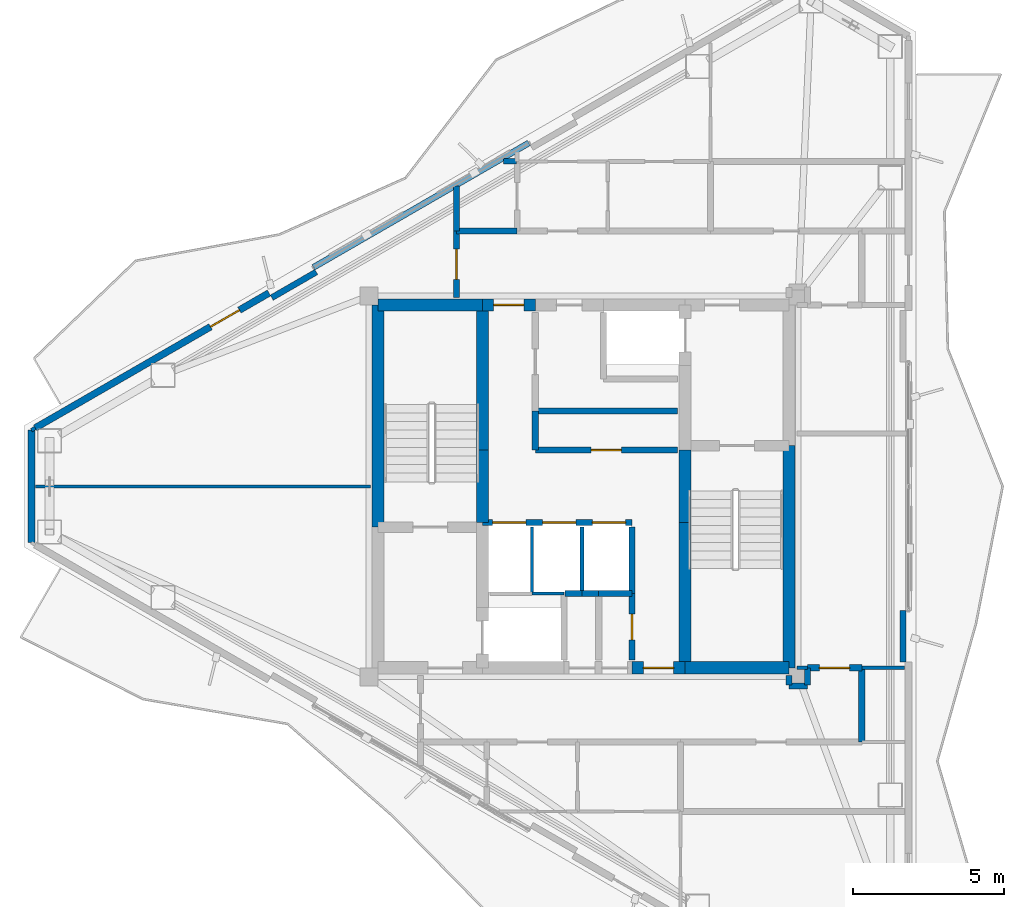
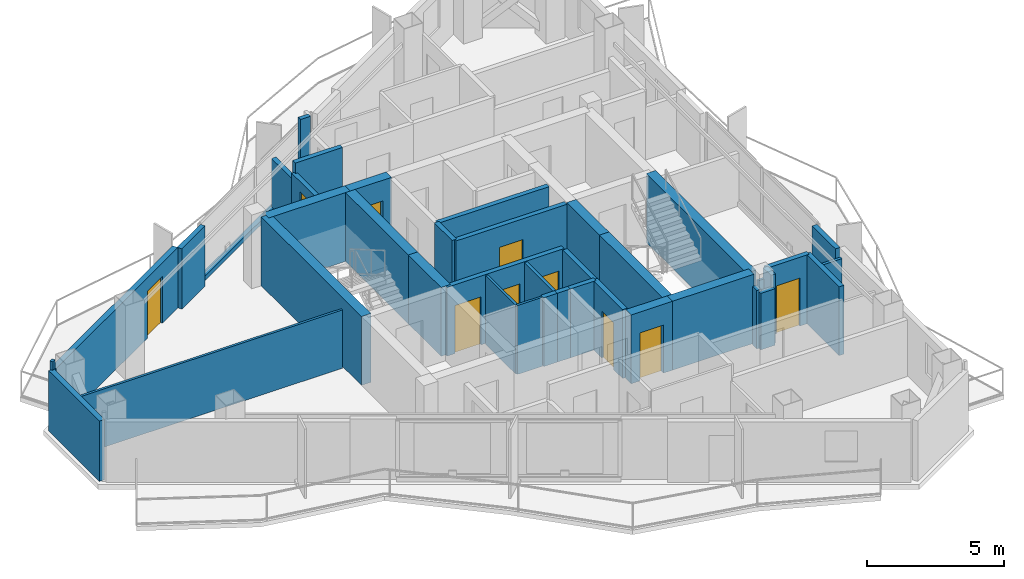
# One storey, part 15 of 18: 40 walls, 10 doors, 10 openings.
"""IFC4 building model written with IfcOpenShell, lengths in metres."""

import ifcopenshell
import ifcopenshell.guid

model = None  # the IFC model being written
_history = None  # IfcOwnerHistory: only IFC2X3 demands one
_inside = {}  # id of a spatial element -> (the spatial element, [elements in it])
_under = {}  # id of a project, library or spatial element -> (it, [spatial elements below it])
_declared = {}  # id of a project -> (the project, [libraries it declares])
_typed = {}  # id of a type object -> (the type object, [elements of that type])
_made_of = {}  # id of a material, layer set ... -> (it, [elements and type objects made of it])


def new_model(schema):
    """Start an empty IFC model of exactly this schema.

    Asked for "IFC4X3", IfcOpenShell would pick the latest addendum, in which some entities
    have other attributes; the version numbers below select the first issue.
    IFC2X3 requires an IfcOwnerHistory on every rooted entity: one is made here for all.
    """
    global model, _history
    if schema == "IFC4X3":
        model = ifcopenshell.file(schema_version=(4, 3, 0, 0))
    else:
        model = ifcopenshell.file(schema=schema)
    _inside.clear()
    _under.clear()
    _declared.clear()
    _typed.clear()
    _made_of.clear()
    _history = None
    if model.schema == "IFC2X3":
        org = make("IfcOrganization", Name="unknown")
        user = make(
            "IfcPersonAndOrganization",
            ThePerson=make("IfcPerson", FamilyName="unknown"),
            TheOrganization=org,
        )
        app = make(
            "IfcApplication",
            ApplicationDeveloper=org,
            Version="unknown",
            ApplicationFullName="unknown",
            ApplicationIdentifier="unknown",
        )
        _history = make(
            "IfcOwnerHistory",
            OwningUser=user,
            OwningApplication=app,
            ChangeAction="ADDED",
            CreationDate=0,
        )
    return model


def make(cls, **values):
    """One entity of the class cls with the attributes given. An attribute that is None is left unset."""
    return model.create_entity(
        cls, **{name: value for name, value in values.items() if value is not None}
    )


def rooted(cls, **values):
    """An entity with a GlobalId (a new one), such as an element, a storey or a relation."""
    return make(cls, GlobalId=ifcopenshell.guid.new(), OwnerHistory=_history, **values)


def si_unit(unit_type, name, prefix=None):
    """IfcSIUnit, for example si_unit("LENGTHUNIT", "METRE", prefix="MILLI")."""
    return make("IfcSIUnit", UnitType=unit_type, Prefix=prefix, Name=name)


def assignment(units):
    """IfcUnitAssignment: the units of a project."""
    return None if units is None else make("IfcUnitAssignment", Units=units)


def point(xyz):
    """IfcCartesianPoint."""
    return None if xyz is None else make("IfcCartesianPoint", Coordinates=xyz)


def direction(xyz):
    """IfcDirection."""
    return None if xyz is None else make("IfcDirection", DirectionRatios=xyz)


def frame(location, z_axis=None, x_axis=None):
    """IfcAxis2Placement3D, a coordinate frame: its origin and axes. An axis left out is left unset."""
    return make(
        "IfcAxis2Placement3D",
        Location=point(location),
        Axis=direction(z_axis),
        RefDirection=direction(x_axis),
    )


def frame_2d(location, x_axis=None):
    """IfcAxis2Placement2D, a coordinate frame in the plane: its origin and x axis."""
    return make(
        "IfcAxis2Placement2D", Location=point(location), RefDirection=direction(x_axis)
    )


def origin():
    """The frame at (0, 0, 0) with its axes left unset."""
    return frame((0.0, 0.0, 0.0))


def place(relative_to, where):
    """IfcLocalPlacement: puts the frame where relative to a parent placement (None: the world)."""
    return make(
        "IfcLocalPlacement", PlacementRelTo=relative_to, RelativePlacement=where
    )


def context(
    kind, dimensions, precision=None, world=None, true_north=None, identifier=None
):
    """IfcGeometricRepresentationContext, for example the 3D "Model" context."""
    return make(
        "IfcGeometricRepresentationContext",
        ContextIdentifier=identifier,
        ContextType=kind,
        CoordinateSpaceDimension=dimensions,
        Precision=precision,
        WorldCoordinateSystem=world,
        TrueNorth=true_north,
    )


def subcontext(parent, identifier, kind, view, scale=None):
    """IfcGeometricRepresentationSubContext, for example "Body" below "Model"."""
    return make(
        "IfcGeometricRepresentationSubContext",
        ContextIdentifier=identifier,
        ContextType=kind,
        ParentContext=parent,
        TargetScale=scale,
        TargetView=view,
    )


def project(units=None, contexts=None):
    """IfcProject with its units and contexts."""
    return rooted(
        "IfcProject",
        Name="project",
        RepresentationContexts=contexts,
        UnitsInContext=assignment(units),
    )


def spatial(cls, under=None, at=None, **own):
    """A site, building, storey or space (cls), placed at a placement, below another one or the project."""
    s = rooted(cls, ObjectPlacement=at, **own)
    if under is not None:
        _under.setdefault(under.id(), (under, []))[1].append(s)
    return s


def profile(cls, at=None, kind="AREA", **sizes):
    """A parametric profile (cls). Its sizes go by their IFC names, for example OverallWidth=200.0."""
    return make(cls, ProfileType=kind, Position=at, **sizes)


def rectangle(**sizes):
    """IfcRectangleProfileDef."""
    return profile("IfcRectangleProfileDef", **sizes)


def extrude(swept, where, along, depth):
    """IfcExtrudedAreaSolid: the profile swept, set in the frame where, extruded along a direction by depth."""
    return make(
        "IfcExtrudedAreaSolid",
        SweptArea=swept,
        Position=where,
        ExtrudedDirection=direction(along),
        Depth=depth,
    )


def shape(context_of_items, identifier, shape_type, items):
    """IfcShapeRepresentation: the items that make up one representation, for example the "Body"."""
    return make(
        "IfcShapeRepresentation",
        ContextOfItems=context_of_items,
        RepresentationIdentifier=identifier,
        RepresentationType=shape_type,
        Items=items,
    )


def material(Name=None, Category=None):
    """IfcMaterial."""
    return make("IfcMaterial", Name=Name, Category=Category)


def layer(
    of_material, thickness, ventilated=None, Name=None, Category=None, Priority=None
):
    """IfcMaterialLayer: one layer of a wall or slab, of a material (None: an air gap)."""
    return make(
        "IfcMaterialLayer",
        Material=of_material,
        LayerThickness=thickness,
        IsVentilated=ventilated,
        Name=Name,
        Category=Category,
        Priority=Priority,
    )


def layer_set(layers, Name=None):
    """IfcMaterialLayerSet."""
    return make("IfcMaterialLayerSet", MaterialLayers=layers, LayerSetName=Name)


def made_of(thing, what):
    """Note that an element or type object is made of a material, layer set ...; save() writes the relation."""
    if what is not None:
        _made_of.setdefault(what.id(), (what, []))[1].append(thing)
    return thing


def type_object(cls, material=None, **own):
    """A type object (cls), such as IfcWallType, which elements share."""
    return made_of(rooted(cls, **own), material)


def element(
    cls,
    number,
    at=None,
    inside=None,
    cuts=None,
    type_object=None,
    material=None,
    context=None,
    identifier="Body",
    shape_type=None,
    held_by="IfcProductDefinitionShape",
    body=None,
    shapes=None,
    **own,
):
    """One element of the class cls, such as IfcWall. Its Tag is "e" and its number.

    at: its placement. inside: the storey or other place that contains it. cuts: it is an
    opening in that element (IfcRelVoidsElement). A single representation is given by context,
    identifier, shape_type and body (its items); several are given by shapes. held_by: the class
    of the entity that holds the representations. save() writes the other relations.
    """
    e = rooted(cls, Tag="e%d" % number, ObjectPlacement=at, **own)
    if body is not None:
        shapes = [shape(context, identifier, shape_type, body)]
    if shapes is not None:
        e.Representation = make(held_by, Representations=shapes)
    if inside is not None:
        _inside.setdefault(inside.id(), (inside, []))[1].append(e)
    if cuts is not None:
        rooted(
            "IfcRelVoidsElement", RelatingBuildingElement=cuts, RelatedOpeningElement=e
        )
    if type_object is not None:
        _typed.setdefault(type_object.id(), (type_object, []))[1].append(e)
    return made_of(e, material)


def fill(opening, filler):
    """IfcRelFillsElement: the door or window that sits in an opening."""
    return rooted(
        "IfcRelFillsElement",
        RelatingOpeningElement=opening,
        RelatedBuildingElement=filler,
    )


def aggregate(whole, parts):
    """IfcRelAggregates: a whole, such as a stair, and the parts it consists of."""
    return rooted("IfcRelAggregates", RelatingObject=whole, RelatedObjects=parts)


def save(model, path):
    """Write the relations noted so far, then the file.

    IfcRelAggregates (storeys below a building ...), IfcRelContainedInSpatialStructure (elements
    in a storey), IfcRelDefinesByType, IfcRelAssociatesMaterial and IfcRelDeclares: one each for
    every whole, place, type object, material and project.
    """
    for whole, parts in _under.values():
        aggregate(whole, parts)
    for where, things in _inside.values():
        rooted(
            "IfcRelContainedInSpatialStructure",
            RelatedElements=things,
            RelatingStructure=where,
        )
    for kind, things in _typed.values():
        rooted("IfcRelDefinesByType", RelatedObjects=things, RelatingType=kind)
    for what, things in _made_of.values():
        rooted("IfcRelAssociatesMaterial", RelatedObjects=things, RelatingMaterial=what)
    for by, libraries in _declared.values():
        rooted("IfcRelDeclares", RelatingContext=by, RelatedDefinitions=libraries)
    model.write(path)


model = new_model("IFC4")

# Units and contexts
model_context = context("Model", 3, precision=1e-05, world=origin(), true_north=direction((0.0, 1.0)))
body_context = subcontext(model_context, "Body", "Model", "MODEL_VIEW")
ifc_project = project(units=[si_unit("LENGTHUNIT", "METRE"), si_unit("AREAUNIT", "SQUARE_METRE"), si_unit("VOLUMEUNIT", "CUBIC_METRE"), si_unit("PLANEANGLEUNIT", "RADIAN"), si_unit("MASSUNIT", "GRAM", prefix="KILO")], contexts=[model_context])

# Site, building, storey
site_placement = place(None, origin())
site = spatial("IfcSite", under=ifc_project, at=site_placement, CompositionType="ELEMENT")
building_placement = place(site_placement, origin())
building = spatial("IfcBuilding", under=site, at=building_placement, Name="Mersakhor Tower and Convention Hall", CompositionType="ELEMENT")
storey_placement = place(building_placement, frame((0.0, 0.0, 229.800048828125)))
storey = spatial("IfcBuildingStorey", under=building, at=storey_placement, Name="L64", CompositionType="ELEMENT", Elevation=229.800048828125)

# Wall
ifc_material_1 = material(Name="Precast concrete C40/50", Category="concrete")
ifc_layer_1 = layer(ifc_material_1, 0.22509765625)
ifc_layer_set_1 = layer_set([ifc_layer_1], Name="Precast concrete C40/50")
wall_type_1 = type_object("IfcWallType", Name="WL-EXT-225", PredefinedType="SOLIDWALL", material=ifc_layer_set_1)
wall_1_placement = place(storey_placement, frame((10.73193359375, 24.892333984375, 0.0), z_axis=(0.0, 0.0, 1.0), x_axis=(0.0, 1.0, 0.0)))
element("IfcWall", 1, at=wall_1_placement, inside=storey, type_object=wall_type_1, Name="L64 Chamfer Braced Spandrel Wall C3", PredefinedType="SOLIDWALL", context=body_context, shape_type="SweptSolid", body=[
    extrude(rectangle(XDim=3.71533203125, YDim=0.22509765625, at=frame_2d((1.857666015625, 0.0))), origin(), (0.0, 0.0, 1.0), 2.699951171875),
])

# Wall, opening, door
wall_2_placement = place(storey_placement, frame((10.86181640625, 28.6826171875, 0.0), z_axis=(0.0, 0.0, 1.0), x_axis=(0.866026655105, 0.499997832642, 0.0)))
wall_2 = element("IfcWall", 2, at=wall_2_placement, inside=storey, type_object=wall_type_1, Name="L64 Exterior Facade Wall F1-B1", PredefinedType="SOLIDWALL", context=body_context, shape_type="SweptSolid", body=[
    extrude(rectangle(XDim=8.927734375, YDim=0.22509765625, at=frame_2d((4.4638671875, 0.0))), origin(), (0.0, 0.0, 1.0), 2.699951171875),
])
opening_1_placement = place(wall_2_placement, frame((6.696044921875, 0.0, 0.0)))
opening_1 = element("IfcOpeningElement", 3, at=opening_1_placement, cuts=wall_2, Name="Opening BD-02", PredefinedType="OPENING", context=body_context, shape_type="SweptSolid", body=[
    extrude(rectangle(XDim=1.10009765625, YDim=2.10009765625, at=frame_2d((0.550048828125, 1.050048828125))), frame((0.0, 0.12255859375, 0.0), z_axis=(0.0, -1.0, 0.0), x_axis=(1.0, 0.0, 0.0)), (0.0, 0.0, 1.0), 0.2451171875),
])
ifc_material_2 = material(Name="Thermally broken dark aluminium and safety glass", Category="aluminium")
door_type_1 = type_object("IfcDoorType", Name="DR-BAL-110x210", OperationType="NOTDEFINED", PredefinedType="DOOR", material=ifc_material_2)
door_1_placement = place(opening_1_placement, origin())
door_1 = element("IfcDoor", 4, at=door_1_placement, inside=storey, type_object=door_type_1, Name="L64 Balcony Terrace Door F1-B1", OperationType="SINGLE_SWING_RIGHT", OverallHeight=2.10009765625, OverallWidth=1.10009765625, PredefinedType="DOOR", context=body_context, shape_type="SweptSolid", body=[
    extrude(rectangle(XDim=1.10009765625, YDim=2.10009765625, at=frame_2d((0.550048828125, 1.050048828125))), frame((0.0, 0.02490234375, 0.0), z_axis=(0.0, -1.0, 0.0), x_axis=(1.0, 0.0, 0.0)), (0.0, 0.0, 1.0), 0.050048828125),
])
fill(opening_1, door_1)

# Walls
ifc_material_3 = material(Name="Precast concrete C40/50", Category="concrete")
ifc_layer_2 = layer(ifc_material_3, 0.199951171875)
ifc_layer_set_2 = layer_set([ifc_layer_2], Name="Precast concrete C40/50")
wall_type_2 = type_object("IfcWallType", Name="WL-PAR-200", PredefinedType="PARAPET", material=ifc_layer_set_2)
wall_3_placement = place(storey_placement, frame((20.06591796875, 33.99658203125, 0.0), z_axis=(0.0, 0.0, 1.0), x_axis=(0.866019557082, 0.500010126649, 0.0)))
element("IfcWall", 5, at=wall_3_placement, inside=storey, type_object=wall_type_2, Name="L64 Curtain Wall Upstand Sill F1-B2", PredefinedType="PARAPET", context=body_context, shape_type="SweptSolid", body=[
    extrude(rectangle(XDim=8.227783203125, YDim=0.199951171875, at=frame_2d((4.11376953125, 0.0))), origin(), (0.0, 0.0, 1.0), 0.199951171875),
])
wall_4_placement = place(storey_placement, frame((18.68359375, 32.99072265625, 0.0), z_axis=(0.0, 0.0, 1.0), x_axis=(0.866025371046, 0.500000056704, 0.0)))
element("IfcWall", 6, at=wall_4_placement, inside=storey, type_object=wall_type_2, Name="L64 Column Pier Cladding Wall F1-C1", PredefinedType="PARAPET", context=body_context, shape_type="SweptSolid", body=[
    extrude(rectangle(XDim=1.7001953125, YDim=0.199951171875, at=frame_2d((0.85009765625, 0.0))), origin(), (0.0, 0.0, 1.0), 2.699951171875),
])
wall_5_placement = place(storey_placement, frame((39.562744140625, 22.635986328125, 0.0), z_axis=(0.0, 0.0, 1.0), x_axis=(0.0, -1.0, 0.0)))
element("IfcWall", 7, at=wall_5_placement, inside=storey, type_object=wall_type_2, Name="L64 Column Pier Cladding Wall F2-C2", PredefinedType="PARAPET", context=body_context, shape_type="SweptSolid", body=[
    extrude(rectangle(XDim=1.699951171875, YDim=0.199951171875, at=frame_2d((0.85009765625, 0.0))), origin(), (0.0, 0.0, 1.0), 2.699951171875),
])
ifc_material_4 = material(Name="Moisture-resistant acoustic drywall studwork", Category="other")
ifc_layer_3 = layer(ifc_material_4, 0.175048828125)
ifc_layer_set_3 = layer_set([ifc_layer_3], Name="Moisture-resistant acoustic drywall studwork")
wall_type_3 = type_object("IfcWallType", Name="WL-PLM-175", PredefinedType="PLUMBINGWALL", material=ifc_layer_set_3)
wall_6_placement = place(storey_placement, frame((26.356689453125, 37.5, 0.0), z_axis=(0.0, 0.0, 1.0), x_axis=(1.0, 0.0, 0.0)))
element("IfcWall", 8, at=wall_6_placement, inside=storey, type_object=wall_type_3, Name="L64 Interior Partition Wall P-046", PredefinedType="PLUMBINGWALL", context=body_context, shape_type="SweptSolid", body=[
    extrude(rectangle(XDim=0.42822265625, YDim=0.175048828125, at=frame_2d((0.214111328125, 0.0))), origin(), (0.0, 0.0, 1.0), 3.079833984375),
])
ifc_material_5 = material(Name="Lightweight gypsum partition", Category="other")
ifc_layer_4 = layer(ifc_material_5, 0.10009765625)
ifc_layer_set_4 = layer_set([ifc_layer_4], Name="Lightweight gypsum partition")
wall_type_4 = type_object("IfcWallType", Name="WL-PRT-100", PredefinedType="PARTITIONING", material=ifc_layer_set_4)
wall_7_placement = place(storey_placement, frame((27.300048828125, 23.199951171875, 0.0), z_axis=(0.0, 0.0, 1.0), x_axis=(1.0, 0.0, 0.0)))
element("IfcWall", 9, at=wall_7_placement, inside=storey, type_object=wall_type_4, Name="L64 Interior Partition Wall P-002", PredefinedType="PARTITIONING", context=body_context, shape_type="SweptSolid", body=[
    extrude(rectangle(XDim=1.050048828125, YDim=0.10009765625, at=frame_2d((0.52490234375, 0.0))), origin(), (0.0, 0.0, 1.0), 3.079833984375),
])
wall_8_placement = place(storey_placement, frame((27.300048828125, 25.39990234375, 0.0), z_axis=(0.0, 0.0, 1.0), x_axis=(0.0, -1.0, 0.0)))
element("IfcWall", 10, at=wall_8_placement, inside=storey, type_object=wall_type_4, Name="L64 Interior Partition Wall P-006", PredefinedType="PARTITIONING", context=body_context, shape_type="SweptSolid", body=[
    extrude(rectangle(XDim=2.199951171875, YDim=0.10009765625, at=frame_2d((1.10009765625, 0.0))), origin(), (0.0, 0.0, 1.0), 3.079833984375),
])
wall_9_placement = place(storey_placement, frame((21.949951171875, 26.75, 0.0), z_axis=(0.0, 0.0, 1.0), x_axis=(-1.0, 0.0, 0.0)))
element("IfcWall", 11, at=wall_9_placement, inside=storey, type_object=wall_type_4, Name="L64 Interior Partition Wall P-058", PredefinedType="PARTITIONING", context=body_context, shape_type="SweptSolid", body=[
    extrude(rectangle(XDim=11.08154296875, YDim=0.10009765625, at=frame_2d((5.540771484375, 0.0))), origin(), (0.0, 0.0, 1.0), 2.60498046875),
])
wall_10_placement = place(storey_placement, frame((36.39990234375, 20.75, 0.0), z_axis=(0.0, 0.0, 1.0), x_axis=(-1.0, 0.0, 0.0)))
element("IfcWall", 12, at=wall_10_placement, inside=storey, type_object=wall_type_4, Name="L64 Interior Partition Wall P-062", PredefinedType="PARTITIONING", context=body_context, shape_type="SweptSolid", body=[
    extrude(rectangle(XDim=0.349853515625, YDim=0.10009765625, at=frame_2d((0.1748046875, 0.0))), origin(), (0.0, 0.0, 1.0), 2.60498046875),
])
ifc_material_6 = material(Name="Gypsum board acoustic partition", Category="other")
ifc_layer_5 = layer(ifc_material_6, 0.125)
ifc_layer_set_5 = layer_set([ifc_layer_5], Name="Gypsum board acoustic partition")
wall_type_5 = type_object("IfcWallType", Name="WL-PRT-125", PredefinedType="PARTITIONING", material=ifc_layer_set_5)
wall_11_placement = place(storey_placement, frame((28.949951171875, 25.39990234375, 0.0), z_axis=(0.0, 0.0, 1.0), x_axis=(0.0, -1.0, 0.0)))
element("IfcWall", 13, at=wall_11_placement, inside=storey, type_object=wall_type_5, Name="L64 Interior Partition Wall P-007", PredefinedType="PARTITIONING", context=body_context, shape_type="SweptSolid", body=[
    extrude(rectangle(XDim=2.199951171875, YDim=0.125, at=frame_2d((1.10009765625, 0.0))), origin(), (0.0, 0.0, 1.0), 3.079833984375),
])
wall_12_placement = place(storey_placement, frame((10.73193359375, 28.60791015625, 0.0), z_axis=(0.0, 0.0, 1.0), x_axis=(0.866131372301, 0.499816412211, 0.0)))
element("IfcWall", 14, at=wall_12_placement, inside=storey, type_object=wall_type_5, Name="L64 Interior Partition Wall P-059", PredefinedType="PARTITIONING", context=body_context, shape_type="SweptSolid", body=[
    extrude(rectangle(XDim=0.14990234375, YDim=0.125, at=frame_2d((0.074951171875, 0.0))), origin(), (0.0, 0.0, 1.0), 3.079833984375),
])
wall_13_placement = place(storey_placement, frame((39.606201171875, 20.75, 0.0), z_axis=(0.0, 0.0, 1.0), x_axis=(-1.0, 0.0, 0.0)))
element("IfcWall", 15, at=wall_13_placement, inside=storey, type_object=wall_type_5, Name="L64 Interior Partition Wall P-061", PredefinedType="PARTITIONING", context=body_context, shape_type="SweptSolid", body=[
    extrude(rectangle(XDim=1.40625, YDim=0.125, at=frame_2d((0.703125, 0.0))), origin(), (0.0, 0.0, 1.0), 2.364990234375),
])

# Wall, openings, doors
ifc_material_7 = material(Name="Acoustic concrete blockwork and gypsum board", Category="masonry")
ifc_layer_6 = layer(ifc_material_7, 0.199951171875)
ifc_layer_set_6 = layer_set([ifc_layer_6], Name="Acoustic concrete blockwork and gypsum board")
wall_type_6 = type_object("IfcWallType", Name="WL-PRT-200", PredefinedType="PARTITIONING", material=ifc_layer_set_6)
wall_14_placement = place(storey_placement, frame((25.64990234375, 25.550048828125, 0.0), z_axis=(0.0, 0.0, 1.0), x_axis=(1.0, 0.0, 0.0)))
wall_14 = element("IfcWall", 16, at=wall_14_placement, inside=storey, type_object=wall_type_6, Name="L64 High-Rise Lift Bank Front Wall", PredefinedType="PARTITIONING", context=body_context, shape_type="SweptSolid", body=[
    extrude(rectangle(XDim=4.9501953125, YDim=0.199951171875, at=frame_2d((2.47509765625, 0.0))), origin(), (0.0, 0.0, 1.0), 3.079833984375),
])
opening_2_placement = place(wall_14_placement, frame((0.340087890625, 0.0, 0.0)))
opening_2 = element("IfcOpeningElement", 17, at=opening_2_placement, cuts=wall_14, Name="Opening LD-P4", PredefinedType="OPENING", context=body_context, shape_type="SweptSolid", body=[
    extrude(rectangle(XDim=1.10009765625, YDim=2.14990234375, at=frame_2d((0.550048828125, 1.074951171875))), frame((0.0, 0.10986328125, 0.0), z_axis=(0.0, -1.0, 0.0), x_axis=(1.0, 0.0, 0.0)), (0.0, 0.0, 1.0), 0.219970703125),
])
opening_3_placement = place(wall_14_placement, frame((1.989990234375, 0.0, 0.0)))
opening_3 = element("IfcOpeningElement", 18, at=opening_3_placement, cuts=wall_14, Name="Opening LD-P5", PredefinedType="OPENING", context=body_context, shape_type="SweptSolid", body=[
    extrude(rectangle(XDim=1.10009765625, YDim=2.14990234375, at=frame_2d((0.550048828125, 1.074951171875))), frame((0.0, 0.10986328125, 0.0), z_axis=(0.0, -1.0, 0.0), x_axis=(1.0, 0.0, 0.0)), (0.0, 0.0, 1.0), 0.219970703125),
])
opening_4_placement = place(wall_14_placement, frame((3.639892578125, 0.0, 0.0)))
opening_4 = element("IfcOpeningElement", 19, at=opening_4_placement, cuts=wall_14, Name="Opening LD-P6", PredefinedType="OPENING", context=body_context, shape_type="SweptSolid", body=[
    extrude(rectangle(XDim=1.10009765625, YDim=2.14990234375, at=frame_2d((0.550048828125, 1.074951171875))), frame((0.0, 0.10986328125, 0.0), z_axis=(0.0, -1.0, 0.0), x_axis=(1.0, 0.0, 0.0)), (0.0, 0.0, 1.0), 0.219970703125),
])
ifc_material_8 = material(Name="Fire-rated brushed stainless steel sliding landing door", Category="steel")
door_type_2 = type_object("IfcDoorType", Name="DR-LIFT-SLD-110x215", OperationType="NOTDEFINED", PredefinedType="DOOR", material=ifc_material_8)
door_2_placement = place(opening_2_placement, origin())
door_2 = element("IfcDoor", 20, at=door_2_placement, inside=storey, type_object=door_type_2, Name="L64 Lift Landing Door LD-P4", OperationType="SLIDING_TO_LEFT", OverallHeight=2.14990234375, OverallWidth=1.10009765625, PredefinedType="DOOR", context=body_context, shape_type="SweptSolid", body=[
    extrude(rectangle(XDim=1.10009765625, YDim=2.14990234375, at=frame_2d((0.550048828125, 1.074951171875))), frame((0.0, 0.02490234375, 0.0), z_axis=(0.0, -1.0, 0.0), x_axis=(1.0, 0.0, 0.0)), (0.0, 0.0, 1.0), 0.050048828125),
])
fill(opening_2, door_2)
door_3_placement = place(opening_3_placement, origin())
door_3 = element("IfcDoor", 21, at=door_3_placement, inside=storey, type_object=door_type_2, Name="L64 Lift Landing Door LD-P5", OperationType="SLIDING_TO_LEFT", OverallHeight=2.14990234375, OverallWidth=1.10009765625, PredefinedType="DOOR", context=body_context, shape_type="SweptSolid", body=[
    extrude(rectangle(XDim=1.10009765625, YDim=2.14990234375, at=frame_2d((0.550048828125, 1.074951171875))), frame((0.0, 0.02490234375, 0.0), z_axis=(0.0, -1.0, 0.0), x_axis=(1.0, 0.0, 0.0)), (0.0, 0.0, 1.0), 0.050048828125),
])
fill(opening_3, door_3)
door_4_placement = place(opening_4_placement, origin())
door_4 = element("IfcDoor", 22, at=door_4_placement, inside=storey, type_object=door_type_2, Name="L64 Lift Landing Door LD-P6", OperationType="SLIDING_TO_LEFT", OverallHeight=2.14990234375, OverallWidth=1.10009765625, PredefinedType="DOOR", context=body_context, shape_type="SweptSolid", body=[
    extrude(rectangle(XDim=1.10009765625, YDim=2.14990234375, at=frame_2d((0.550048828125, 1.074951171875))), frame((0.0, 0.02490234375, 0.0), z_axis=(0.0, -1.0, 0.0), x_axis=(1.0, 0.0, 0.0)), (0.0, 0.0, 1.0), 0.050048828125),
])
fill(opening_4, door_4)

# Walls
wall_15_placement = place(storey_placement, frame((28.949951171875, 23.199951171875, 0.0), z_axis=(0.0, 0.0, 1.0), x_axis=(-1.0, 0.0, 0.0)))
element("IfcWall", 23, at=wall_15_placement, inside=storey, type_object=wall_type_6, Name="L64 Interior Partition Wall P-008", PredefinedType="PARTITIONING", context=body_context, shape_type="SweptSolid", body=[
    extrude(rectangle(XDim=0.570068359375, YDim=0.199951171875, at=frame_2d((0.28515625, 0.0))), origin(), (0.0, 0.0, 1.0), 3.079833984375),
])
wall_16_placement = place(storey_placement, frame((30.60009765625, 25.39990234375, 0.0), z_axis=(0.0, 0.0, 1.0), x_axis=(0.0, -1.0, 0.0)))
element("IfcWall", 24, at=wall_16_placement, inside=storey, type_object=wall_type_6, Name="L64 Interior Partition Wall P-009", PredefinedType="PARTITIONING", context=body_context, shape_type="SweptSolid", body=[
    extrude(rectangle(XDim=2.199951171875, YDim=0.199951171875, at=frame_2d((1.10009765625, 0.0))), origin(), (0.0, 0.0, 1.0), 3.079833984375),
])
wall_17_placement = place(storey_placement, frame((30.60009765625, 23.199951171875, 0.0), z_axis=(0.0, 0.0, 1.0), x_axis=(-1.0, 0.0, 0.0)))
element("IfcWall", 25, at=wall_17_placement, inside=storey, type_object=wall_type_6, Name="L64 Interior Partition Wall P-010", PredefinedType="PARTITIONING", context=body_context, shape_type="SweptSolid", body=[
    extrude(rectangle(XDim=1.10009765625, YDim=0.199951171875, at=frame_2d((0.550048828125, 0.0))), origin(), (0.0, 0.0, 1.0), 3.079833984375),
])
wall_18_placement = place(storey_placement, frame((29.5, 23.199951171875, 0.0), z_axis=(0.0, 0.0, 1.0), x_axis=(-1.0, 0.0, 0.0)))
element("IfcWall", 26, at=wall_18_placement, inside=storey, type_object=wall_type_6, Name="L64 Interior Partition Wall P-011", PredefinedType="PARTITIONING", context=body_context, shape_type="SweptSolid", body=[
    extrude(rectangle(XDim=0.550048828125, YDim=0.199951171875, at=frame_2d((0.27490234375, 0.0))), origin(), (0.0, 0.0, 1.0), 3.079833984375),
])

# Wall, opening, door
wall_19_placement = place(storey_placement, frame((30.60009765625, 21.0, 0.0), z_axis=(0.0, 0.0, 1.0), x_axis=(0.0, 1.0, 0.0)))
wall_19 = element("IfcWall", 27, at=wall_19_placement, inside=storey, type_object=wall_type_6, Name="L64 Interior Partition Wall P-012", PredefinedType="PARTITIONING", context=body_context, shape_type="SweptSolid", body=[
    extrude(rectangle(XDim=2.199951171875, YDim=0.199951171875, at=frame_2d((1.10009765625, 0.0))), origin(), (0.0, 0.0, 1.0), 3.079833984375),
])
opening_5_placement = place(wall_19_placement, frame((0.675048828125, 0.0, 0.0)))
opening_5 = element("IfcOpeningElement", 28, at=opening_5_placement, cuts=wall_19, Name="Opening SVD-01", PredefinedType="OPENING", context=body_context, shape_type="SweptSolid", body=[
    extrude(rectangle(XDim=0.85009765625, YDim=2.10009765625, at=frame_2d((0.425048828125, 1.050048828125))), frame((0.0, 0.10986328125, 0.0), z_axis=(0.0, -1.0, 0.0), x_axis=(1.0, 0.0, 0.0)), (0.0, 0.0, 1.0), 0.219970703125),
])
ifc_material_9 = material(Name="Fire-rated hardwood leaf and painted steel frame", Category="steel")
door_type_3 = type_object("IfcDoorType", Name="DR-INT-SVC-085x210", OperationType="NOTDEFINED", PredefinedType="DOOR", material=ifc_material_9)
door_5_placement = place(opening_5_placement, origin())
door_5 = element("IfcDoor", 29, at=door_5_placement, inside=storey, type_object=door_type_3, Name="L64 Central Passenger Lift Lobby to Cleaner Store Room Door", OperationType="SINGLE_SWING_RIGHT", OverallHeight=2.10009765625, OverallWidth=0.85009765625, PredefinedType="DOOR", context=body_context, shape_type="SweptSolid", body=[
    extrude(rectangle(XDim=0.85009765625, YDim=2.10009765625, at=frame_2d((0.425048828125, 1.050048828125))), frame((0.0, 0.02490234375, 0.0), z_axis=(0.0, -1.0, 0.0), x_axis=(1.0, 0.0, 0.0)), (0.0, 0.0, 1.0), 0.050048828125),
])
fill(opening_5, door_5)

# Wall
wall_20_placement = place(storey_placement, frame((27.39990234375, 29.25, 0.0), z_axis=(0.0, 0.0, 1.0), x_axis=(0.0, -1.0, 0.0)))
element("IfcWall", 30, at=wall_20_placement, inside=storey, type_object=wall_type_6, Name="L64 Interior Partition Wall P-014", PredefinedType="PARTITIONING", context=body_context, shape_type="SweptSolid", body=[
    extrude(rectangle(XDim=1.300048828125, YDim=0.199951171875, at=frame_2d((0.64990234375, 0.0))), origin(), (0.0, 0.0, 1.0), 3.079833984375),
])

# Wall, opening, door
wall_21_placement = place(storey_placement, frame((27.39990234375, 27.949951171875, 0.0), z_axis=(0.0, 0.0, 1.0), x_axis=(1.0, 0.0, 0.0)))
wall_21 = element("IfcWall", 31, at=wall_21_placement, inside=storey, type_object=wall_type_6, Name="L64 Interior Partition Wall P-015", PredefinedType="PARTITIONING", context=body_context, shape_type="SweptSolid", body=[
    extrude(rectangle(XDim=4.7001953125, YDim=0.199951171875, at=frame_2d((2.35009765625, 0.0))), origin(), (0.0, 0.0, 1.0), 3.079833984375),
])
opening_6_placement = place(wall_21_placement, frame((1.85009765625, 0.0, 0.0)))
opening_6 = element("IfcOpeningElement", 32, at=opening_6_placement, cuts=wall_21, Name="Opening FD-01", PredefinedType="OPENING", context=body_context, shape_type="SweptSolid", body=[
    extrude(rectangle(XDim=1.0, YDim=2.14990234375, at=frame_2d((0.5, 1.074951171875))), frame((0.0, 0.10986328125, 0.0), z_axis=(0.0, -1.0, 0.0), x_axis=(1.0, 0.0, 0.0)), (0.0, 0.0, 1.0), 0.219970703125),
])
ifc_material_10 = material(Name="Fire-rated hardwood leaf and painted steel frame", Category="steel")
door_type_4 = type_object("IfcDoorType", Name="DR-INT-FLT-100x215", OperationType="NOTDEFINED", PredefinedType="DOOR", material=ifc_material_10)
door_6_placement = place(opening_6_placement, origin())
door_6 = element("IfcDoor", 33, at=door_6_placement, inside=storey, type_object=door_type_4, Name="L64 Central Passenger Lift Lobby to Household Laundry Room Door", OperationType="SINGLE_SWING_LEFT", OverallHeight=2.14990234375, OverallWidth=1.0, PredefinedType="DOOR", context=body_context, shape_type="SweptSolid", body=[
    extrude(rectangle(XDim=1.0, YDim=2.14990234375, at=frame_2d((0.5, 1.074951171875))), frame((0.0, 0.02490234375, 0.0), z_axis=(0.0, -1.0, 0.0), x_axis=(1.0, 0.0, 0.0)), (0.0, 0.0, 1.0), 0.050048828125),
])
fill(opening_6, door_6)

# Wall
wall_22_placement = place(storey_placement, frame((24.800048828125, 35.199951171875, 0.0), z_axis=(0.0, 0.0, 1.0), x_axis=(1.0, 0.0, 0.0)))
element("IfcWall", 34, at=wall_22_placement, inside=storey, type_object=wall_type_6, Name="L64 Interior Partition Wall P-016", PredefinedType="PARTITIONING", context=body_context, shape_type="SweptSolid", body=[
    extrude(rectangle(XDim=2.0, YDim=0.199951171875, at=frame_2d((1.0, 0.0))), origin(), (0.0, 0.0, 1.0), 3.079833984375),
])

# Wall, opening, door
wall_23_placement = place(storey_placement, frame((24.800048828125, 33.0, 0.0), z_axis=(0.0, 0.0, 1.0), x_axis=(0.0, 1.0, 0.0)))
wall_23 = element("IfcWall", 35, at=wall_23_placement, inside=storey, type_object=wall_type_6, Name="L64 Interior Partition Wall P-025", PredefinedType="PARTITIONING", context=body_context, shape_type="SweptSolid", body=[
    extrude(rectangle(XDim=2.199951171875, YDim=0.199951171875, at=frame_2d((1.10009765625, 0.0))), origin(), (0.0, 0.0, 1.0), 2.60498046875),
])
opening_7_placement = place(wall_23_placement, frame((0.60009765625, 0.0, 0.0)))
opening_7 = element("IfcOpeningElement", 36, at=opening_7_placement, cuts=wall_23, Name="Opening FD-01", PredefinedType="OPENING", context=body_context, shape_type="SweptSolid", body=[
    extrude(rectangle(XDim=1.0, YDim=2.14990234375, at=frame_2d((0.5, 1.074951171875))), frame((0.0, 0.10986328125, 0.0), z_axis=(0.0, -1.0, 0.0), x_axis=(1.0, 0.0, 0.0)), (0.0, 0.0, 1.0), 0.219970703125),
])
door_7_placement = place(opening_7_placement, origin())
door_7 = element("IfcDoor", 37, at=door_7_placement, inside=storey, type_object=door_type_4, Name="L64 Residential North Gallery Corridor to L64 West Crown Observation Lounge Door", OperationType="SINGLE_SWING_LEFT", OverallHeight=2.14990234375, OverallWidth=1.0, PredefinedType="DOOR", context=body_context, shape_type="SweptSolid", body=[
    extrude(rectangle(XDim=1.0, YDim=2.14990234375, at=frame_2d((0.5, 1.074951171875))), frame((0.0, 0.02490234375, 0.0), z_axis=(0.0, -1.0, 0.0), x_axis=(1.0, 0.0, 0.0)), (0.0, 0.0, 1.0), 0.050048828125),
])
fill(opening_7, door_7)

# Walls
wall_24_placement = place(storey_placement, frame((35.800048828125, 20.14990234375, 0.0), z_axis=(0.0, 0.0, 1.0), x_axis=(1.0, 0.0, 0.0)))
element("IfcWall", 38, at=wall_24_placement, inside=storey, type_object=wall_type_6, Name="L64 Interior Partition Wall P-026", PredefinedType="PARTITIONING", context=body_context, shape_type="SweptSolid", body=[
    extrude(rectangle(XDim=0.599853515625, YDim=0.199951171875, at=frame_2d((0.2998046875, 0.0))), origin(), (0.0, 0.0, 1.0), 2.5283203125),
])
wall_25_placement = place(storey_placement, frame((36.39990234375, 20.179931640625, 0.0), z_axis=(0.0, 0.0, 1.0), x_axis=(0.0, 1.0, 0.0)))
element("IfcWall", 39, at=wall_25_placement, inside=storey, type_object=wall_type_6, Name="L64 Interior Partition Wall P-027", PredefinedType="PARTITIONING", context=body_context, shape_type="SweptSolid", body=[
    extrude(rectangle(XDim=0.570068359375, YDim=0.199951171875, at=frame_2d((0.28515625, 0.0))), origin(), (0.0, 0.0, 1.0), 3.079833984375),
])

# Wall, opening, door
wall_26_placement = place(storey_placement, frame((36.39990234375, 20.75, 0.0), z_axis=(0.0, 0.0, 1.0), x_axis=(1.0, 0.0, 0.0)))
wall_26 = element("IfcWall", 40, at=wall_26_placement, inside=storey, type_object=wall_type_6, Name="L64 Interior Partition Wall P-028", PredefinedType="PARTITIONING", context=body_context, shape_type="SweptSolid", body=[
    extrude(rectangle(XDim=1.800048828125, YDim=0.199951171875, at=frame_2d((0.89990234375, 0.0))), origin(), (0.0, 0.0, 1.0), 3.079833984375),
])
opening_8_placement = place(wall_26_placement, frame((0.39990234375, 0.0, 0.0)))
opening_8 = element("IfcOpeningElement", 41, at=opening_8_placement, cuts=wall_26, Name="Opening FD-01", PredefinedType="OPENING", context=body_context, shape_type="SweptSolid", body=[
    extrude(rectangle(XDim=1.0, YDim=2.14990234375, at=frame_2d((0.5, 1.074951171875))), frame((0.0, 0.10986328125, 0.0), z_axis=(0.0, -1.0, 0.0), x_axis=(1.0, 0.0, 0.0)), (0.0, 0.0, 1.0), 0.219970703125),
])
door_8_placement = place(opening_8_placement, origin())
door_8 = element("IfcDoor", 42, at=door_8_placement, inside=storey, type_object=door_type_4, Name="L64 Residential South Gallery Corridor to L64 East Crown Shared Laundry Door", OperationType="SINGLE_SWING_LEFT", OverallHeight=2.14990234375, OverallWidth=1.0, PredefinedType="DOOR", context=body_context, shape_type="SweptSolid", body=[
    extrude(rectangle(XDim=1.0, YDim=2.14990234375, at=frame_2d((0.5, 1.074951171875))), frame((0.0, 0.02490234375, 0.0), z_axis=(0.0, -1.0, 0.0), x_axis=(1.0, 0.0, 0.0)), (0.0, 0.0, 1.0), 0.050048828125),
])
fill(opening_8, door_8)

# Walls
wall_27_placement = place(storey_placement, frame((38.199951171875, 20.75, 0.0), z_axis=(0.0, 0.0, 1.0), x_axis=(0.0, -1.0, 0.0)))
element("IfcWall", 43, at=wall_27_placement, inside=storey, type_object=wall_type_6, Name="L64 Interior Partition Wall P-029", PredefinedType="PARTITIONING", context=body_context, shape_type="SweptSolid", body=[
    extrude(rectangle(XDim=2.449951171875, YDim=0.199951171875, at=frame_2d((1.22509765625, 0.0))), origin(), (0.0, 0.0, 1.0), 3.079833984375),
])
wall_28_placement = place(storey_placement, frame((35.800048828125, 20.5, 0.0), z_axis=(0.0, 0.0, 1.0), x_axis=(0.0, -1.0, 0.0)))
element("IfcWall", 44, at=wall_28_placement, inside=storey, type_object=wall_type_6, Name="L64 Interior Partition Wall P-035", PredefinedType="PARTITIONING", context=body_context, shape_type="SweptSolid", body=[
    extrude(rectangle(XDim=0.320068359375, YDim=0.199951171875, at=frame_2d((0.16015625, 0.0))), origin(), (0.0, 0.0, 1.0), 2.60498046875),
])
wall_29_placement = place(storey_placement, frame((24.800048828125, 35.199951171875, 0.0), z_axis=(0.0, 0.0, 1.0), x_axis=(0.0, 1.0, 0.0)))
element("IfcWall", 45, at=wall_29_placement, inside=storey, type_object=wall_type_6, Name="L64 Interior Partition Wall P-045", PredefinedType="PARTITIONING", context=body_context, shape_type="SweptSolid", body=[
    extrude(rectangle(XDim=1.483642578125, YDim=0.199951171875, at=frame_2d((0.74169921875, 0.0))), origin(), (0.0, 0.0, 1.0), 2.364990234375),
])
wall_30_placement = place(storey_placement, frame((32.10009765625, 29.25, 0.0), z_axis=(0.0, 0.0, 1.0), x_axis=(-1.0, 0.0, 0.0)))
element("IfcWall", 46, at=wall_30_placement, inside=storey, type_object=wall_type_6, Name="L64 Interior Partition Wall P-052", PredefinedType="PARTITIONING", context=body_context, shape_type="SweptSolid", body=[
    extrude(rectangle(XDim=4.7001953125, YDim=0.199951171875, at=frame_2d((2.35009765625, 0.0))), origin(), (0.0, 0.0, 1.0), 3.079833984375),
])
ifc_material_11 = material(Name="Concrete C60/75", Category="concrete")
ifc_layer_7 = layer(ifc_material_11, 0.39990234375)
ifc_layer_set_7 = layer_set([ifc_layer_7], Name="Concrete C60/75")
wall_type_7 = type_object("IfcWallType", Name="WL-SHR-400", PredefinedType="SHEAR", material=ifc_layer_set_7)
wall_31_placement = place(storey_placement, frame((22.199951171875, 25.39990234375, 0.0), z_axis=(0.0, 0.0, 1.0), x_axis=(0.0, 1.0, 0.0)))
element("IfcWall", 47, at=wall_31_placement, inside=storey, type_object=wall_type_7, Name="L64 Core Wall CW-W2", PredefinedType="SHEAR", context=body_context, shape_type="SweptSolid", body=[
    extrude(rectangle(XDim=7.35009765625, YDim=0.39990234375, at=frame_2d((3.675048828125, 0.0))), origin(), (0.0, 0.0, 1.0), 3.079833984375),
])
wall_32_placement = place(storey_placement, frame((22.199951171875, 32.75, 0.0), z_axis=(0.0, 0.0, 1.0), x_axis=(1.0, 0.0, 0.0)))
element("IfcWall", 48, at=wall_32_placement, inside=storey, type_object=wall_type_7, Name="L64 Core Wall CW-N1", PredefinedType="SHEAR", context=body_context, shape_type="SweptSolid", body=[
    extrude(rectangle(XDim=3.449951171875, YDim=0.39990234375, at=frame_2d((1.72509765625, 0.0))), origin(), (0.0, 0.0, 1.0), 3.079833984375),
])

# Wall, opening, door
wall_33_placement = place(storey_placement, frame((25.64990234375, 32.75, 0.0), z_axis=(0.0, 0.0, 1.0), x_axis=(1.0, 0.0, 0.0)))
wall_33 = element("IfcWall", 49, at=wall_33_placement, inside=storey, type_object=wall_type_7, Name="L64 Core Wall CW-N2A", PredefinedType="SHEAR", context=body_context, shape_type="SweptSolid", body=[
    extrude(rectangle(XDim=1.75, YDim=0.39990234375, at=frame_2d((0.875, 0.0))), origin(), (0.0, 0.0, 1.0), 3.079833984375),
])
opening_9_placement = place(wall_33_placement, frame((0.375, 0.0, 0.0)))
opening_9 = element("IfcOpeningElement", 50, at=opening_9_placement, cuts=wall_33, Name="Opening CFD-01", PredefinedType="OPENING", context=body_context, shape_type="SweptSolid", body=[
    extrude(rectangle(XDim=1.0, YDim=2.14990234375, at=frame_2d((0.5, 1.074951171875))), frame((0.0, 0.2099609375, 0.0), z_axis=(0.0, -1.0, 0.0), x_axis=(1.0, 0.0, 0.0)), (0.0, 0.0, 1.0), 0.419921875),
])
ifc_material_12 = material(Name="Fire-rated hardwood leaf and painted steel frame", Category="steel")
door_type_5 = type_object("IfcDoorType", Name="DR-CORE-FD-100x215", OperationType="NOTDEFINED", PredefinedType="DOOR", material=ifc_material_12)
door_9_placement = place(opening_9_placement, origin())
door_9 = element("IfcDoor", 51, at=door_9_placement, inside=storey, type_object=door_type_5, Name="L64 Lift Lobby North Corridor Door", OperationType="SINGLE_SWING_LEFT", OverallHeight=2.14990234375, OverallWidth=1.0, PredefinedType="DOOR", context=body_context, shape_type="SweptSolid", body=[
    extrude(rectangle(XDim=1.0, YDim=2.14990234375, at=frame_2d((0.5, 1.074951171875))), frame((0.0, 0.02490234375, 0.0), z_axis=(0.0, -1.0, 0.0), x_axis=(1.0, 0.0, 0.0)), (0.0, 0.0, 1.0), 0.050048828125),
])
fill(opening_9, door_9)

# Walls
wall_34_placement = place(storey_placement, frame((35.800048828125, 28.10009765625, 0.0), z_axis=(0.0, 0.0, 1.0), x_axis=(0.0, -1.0, 0.0)))
element("IfcWall", 52, at=wall_34_placement, inside=storey, type_object=wall_type_7, Name="L64 Core Wall CW-E2", PredefinedType="SHEAR", context=body_context, shape_type="SweptSolid", body=[
    extrude(rectangle(XDim=7.35009765625, YDim=0.39990234375, at=frame_2d((3.675048828125, 0.0))), origin(), (0.0, 0.0, 1.0), 3.079833984375),
])
wall_35_placement = place(storey_placement, frame((35.800048828125, 20.75, 0.0), z_axis=(0.0, 0.0, 1.0), x_axis=(-1.0, 0.0, 0.0)))
element("IfcWall", 53, at=wall_35_placement, inside=storey, type_object=wall_type_7, Name="L64 Core Wall CW-S1", PredefinedType="SHEAR", context=body_context, shape_type="SweptSolid", body=[
    extrude(rectangle(XDim=3.449951171875, YDim=0.39990234375, at=frame_2d((1.72509765625, 0.0))), origin(), (0.0, 0.0, 1.0), 3.079833984375),
])

# Wall, opening, door
wall_36_placement = place(storey_placement, frame((32.35009765625, 20.75, 0.0), z_axis=(0.0, 0.0, 1.0), x_axis=(-1.0, 0.0, 0.0)))
wall_36 = element("IfcWall", 54, at=wall_36_placement, inside=storey, type_object=wall_type_7, Name="L64 Core Wall CW-S2A", PredefinedType="SHEAR", context=body_context, shape_type="SweptSolid", body=[
    extrude(rectangle(XDim=1.75, YDim=0.39990234375, at=frame_2d((0.875, 0.0))), origin(), (0.0, 0.0, 1.0), 3.079833984375),
])
opening_10_placement = place(wall_36_placement, frame((0.375, 0.0, 0.0)))
opening_10 = element("IfcOpeningElement", 55, at=opening_10_placement, cuts=wall_36, Name="Opening CFD-01", PredefinedType="OPENING", context=body_context, shape_type="SweptSolid", body=[
    extrude(rectangle(XDim=1.0, YDim=2.14990234375, at=frame_2d((0.5, 1.074951171875))), frame((0.0, 0.2099609375, 0.0), z_axis=(0.0, -1.0, 0.0), x_axis=(1.0, 0.0, 0.0)), (0.0, 0.0, 1.0), 0.419921875),
])
door_10_placement = place(opening_10_placement, origin())
door_10 = element("IfcDoor", 56, at=door_10_placement, inside=storey, type_object=door_type_5, Name="L64 Lift Lobby South Corridor Door", OperationType="SINGLE_SWING_RIGHT", OverallHeight=2.14990234375, OverallWidth=1.0, PredefinedType="DOOR", context=body_context, shape_type="SweptSolid", body=[
    extrude(rectangle(XDim=1.0, YDim=2.14990234375, at=frame_2d((0.5, 1.074951171875))), frame((0.0, 0.02490234375, 0.0), z_axis=(0.0, -1.0, 0.0), x_axis=(1.0, 0.0, 0.0)), (0.0, 0.0, 1.0), 0.050048828125),
])
fill(opening_10, door_10)

# Walls
wall_37_placement = place(storey_placement, frame((25.64990234375, 25.550048828125, 0.0), z_axis=(0.0, 0.0, 1.0), x_axis=(0.0, 1.0, 0.0)))
element("IfcWall", 57, at=wall_37_placement, inside=storey, type_object=wall_type_7, Name="L64 Core Wall CS-W-LOB", PredefinedType="SHEAR", context=body_context, shape_type="SweptSolid", body=[
    extrude(rectangle(XDim=2.39990234375, YDim=0.39990234375, at=frame_2d((1.199951171875, 0.0))), origin(), (0.0, 0.0, 1.0), 3.079833984375),
])
for number, where, z_axis, x_axis, name in (
    (58, (25.64990234375, 27.949951171875, 0.0), (0.0, 0.0, 1.0), (0.0, 1.0, 0.0), "L64 Core Wall CS-W-ST1"),
    (59, (32.35009765625, 20.75, 0.0), (0.0, 0.0, 1.0), (0.0, 1.0, 0.0), "L64 Core Wall CS-E-ST2"),
):
    element("IfcWall", number, at=place(storey_placement, frame(where, z_axis=z_axis, x_axis=x_axis)), inside=storey, type_object=wall_type_7, Name=name, PredefinedType="SHEAR", context=body_context, shape_type="SweptSolid", body=[
        extrude(rectangle(XDim=4.800048828125, YDim=0.39990234375, at=frame_2d((2.39990234375, 0.0))), origin(), (0.0, 0.0, 1.0), 3.079833984375),
    ])
wall_38_placement = place(storey_placement, frame((32.35009765625, 25.550048828125, 0.0), z_axis=(0.0, 0.0, 1.0), x_axis=(0.0, 1.0, 0.0)))
element("IfcWall", 60, at=wall_38_placement, inside=storey, type_object=wall_type_7, Name="L64 Core Wall CS-E-LOB", PredefinedType="SHEAR", context=body_context, shape_type="SweptSolid", body=[
    extrude(rectangle(XDim=2.39990234375, YDim=0.39990234375, at=frame_2d((1.199951171875, 0.0))), origin(), (0.0, 0.0, 1.0), 3.079833984375),
])

save(model, "model.ifc")
